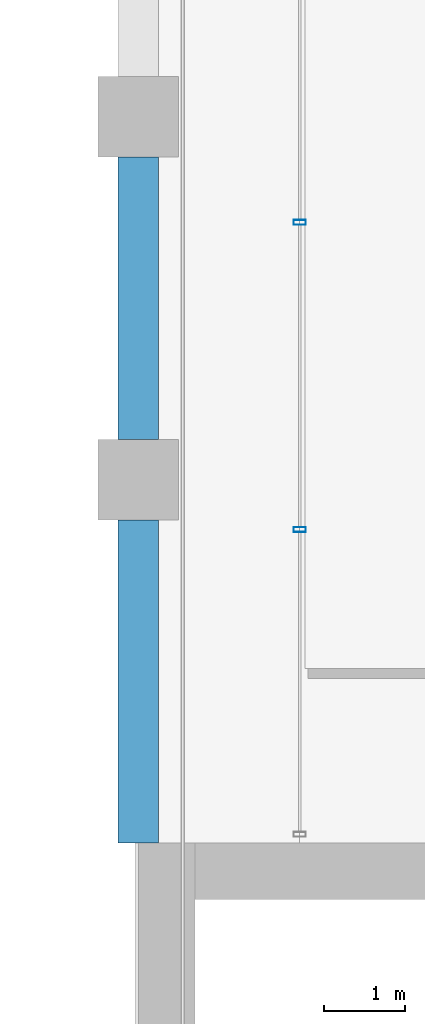
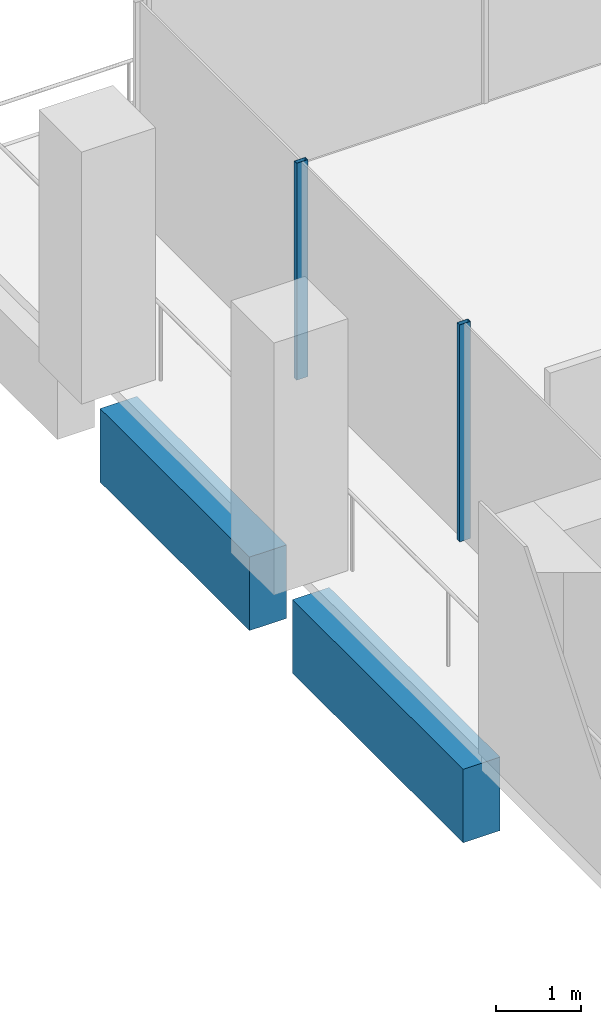
# One storey, part 20 of 46: 2 beams, 2 members, 1 element without a shape of its own.
"""IFC4 building model written with IfcOpenShell, lengths in metres."""

from ifc_helpers import new_model, si_unit, direction, frame, origin, origin_2d, place, context, subcontext, project, spatial, rectangle, hollow_rectangle, extrude, material, material_profile, profile_set, type_object, element, aggregate, save


model = new_model("IFC4")

# Units and contexts
model_context = context("Model", 3, precision=1e-05, world=origin(), true_north=direction((0.0, 1.0)))
body_context = subcontext(model_context, "Body", "Model", "MODEL_VIEW")
ifc_project = project(units=[si_unit("LENGTHUNIT", "METRE"), si_unit("AREAUNIT", "SQUARE_METRE"), si_unit("VOLUMEUNIT", "CUBIC_METRE"), si_unit("PLANEANGLEUNIT", "RADIAN"), si_unit("MASSUNIT", "GRAM", prefix="KILO")], contexts=[model_context])

# Site, building, storey
site_placement = place(None, origin())
site = spatial("IfcSite", under=ifc_project, at=site_placement, CompositionType="ELEMENT")
building_placement = place(site_placement, origin())
building = spatial("IfcBuilding", under=site, at=building_placement, Name="Altepetl Exchange Towers", CompositionType="ELEMENT")
storey_placement = place(building_placement, frame((0.0, 0.0, 120.800048828125)))
storey = spatial("IfcBuildingStorey", under=building, at=storey_placement, Name="L29", CompositionType="ELEMENT", Elevation=120.800048828125)

# Curtain wall, members
ifc_material_1 = material(Name="Aluminium 6063-T6 glazing", Category="aluminium")
curtain_wall_type = type_object("IfcCurtainWallType", Name="Loggia glazing system", PredefinedType="NOTDEFINED", material=ifc_material_1)
curtain_wall_placement = place(storey_placement, origin())
curtain_wall = element("IfcCurtainWall", 1, at=curtain_wall_placement, inside=storey, type_object=curtain_wall_type, Name="CW1 run", PredefinedType="NOTDEFINED")
ifc_material_2 = material(Name="Aluminium 6063-T6", Category="aluminium")
ifc_material_profile_1 = material_profile(ifc_material_2, hollow_rectangle(XDim=0.06005859375, YDim=0.14990234375, WallThickness=0.0029296875, at=origin_2d()), Name="Mullion 60x150 aluminium")
ifc_profile_set_1 = profile_set([ifc_material_profile_1], Name="Aluminium 6063-T6")
member_type = type_object("IfcMemberType", Name="Mullion 60x150 aluminium", PredefinedType="MULLION", material=ifc_profile_set_1)
member_1_placement = place(storey_placement, frame((42.5, 66.191650390625, 0.0), z_axis=(0.0, 0.0, 1.0), x_axis=(0.0, -1.0, 0.0)))
member_1 = element("IfcMember", 2, at=member_1_placement, type_object=member_type, Name="MU1 mullion", PredefinedType="MULLION", context=body_context, shape_type="SweptSolid", body=[
    extrude(hollow_rectangle(XDim=0.06005859375, YDim=0.14990234375, WallThickness=0.0029296875, at=origin_2d()), origin(), (0.0, 0.0, 1.0), 3.099853515625),
])
member_2_placement = place(storey_placement, frame((42.5, 62.38330078125, 0.0), z_axis=(0.0, 0.0, 1.0), x_axis=(0.0, -1.0, 0.0)))
member_2 = element("IfcMember", 3, at=member_2_placement, type_object=member_type, Name="MU1 mullion", PredefinedType="MULLION", context=body_context, shape_type="SweptSolid", body=[
    extrude(hollow_rectangle(XDim=0.06005859375, YDim=0.14990234375, WallThickness=0.0029296875, at=origin_2d()), origin(), (0.0, 0.0, 1.0), 3.099853515625),
])
aggregate(curtain_wall, [member_1, member_2])

# Beams
ifc_material_3 = material(Name="Concrete C50/60 precast with tezontle facing", Category="concrete")
ifc_material_profile_2 = material_profile(ifc_material_3, rectangle(XDim=0.5, YDim=1.050048828125, at=origin_2d()), Name="500 x 1050")
ifc_profile_set_2 = profile_set([ifc_material_profile_2], Name="Concrete C50/60 precast with tezontle facing")
beam_type = type_object("IfcBeamType", Name="Spandrel beam 500x1050 tezontle", PredefinedType="SPANDREL", material=ifc_profile_set_2)
beam_1_placement = place(storey_placement, frame((40.5, 67.0, -0.675048828125), z_axis=(0.0, -1.0, 0.0), x_axis=(1.0, 0.0, 0.0)))
element("IfcBeam", 4, at=beam_1_placement, inside=storey, type_object=beam_type, Name="sp:A:L29:031", PredefinedType="SPANDREL", context=body_context, shape_type="SweptSolid", body=[
    extrude(rectangle(XDim=0.5, YDim=1.050048828125, at=origin_2d()), origin(), (0.0, 0.0, 1.0), 3.5),
])
beam_2_placement = place(storey_placement, frame((40.5, 62.5, -0.675048828125), z_axis=(0.0, -1.0, 0.0), x_axis=(1.0, 0.0, 0.0)))
element("IfcBeam", 5, at=beam_2_placement, inside=storey, type_object=beam_type, Name="sp:A:L29:032", PredefinedType="SPANDREL", context=body_context, shape_type="SweptSolid", body=[
    extrude(rectangle(XDim=0.5, YDim=1.050048828125, at=origin_2d()), origin(), (0.0, 0.0, 1.0), 4.0),
])

save(model, "model.ifc")
